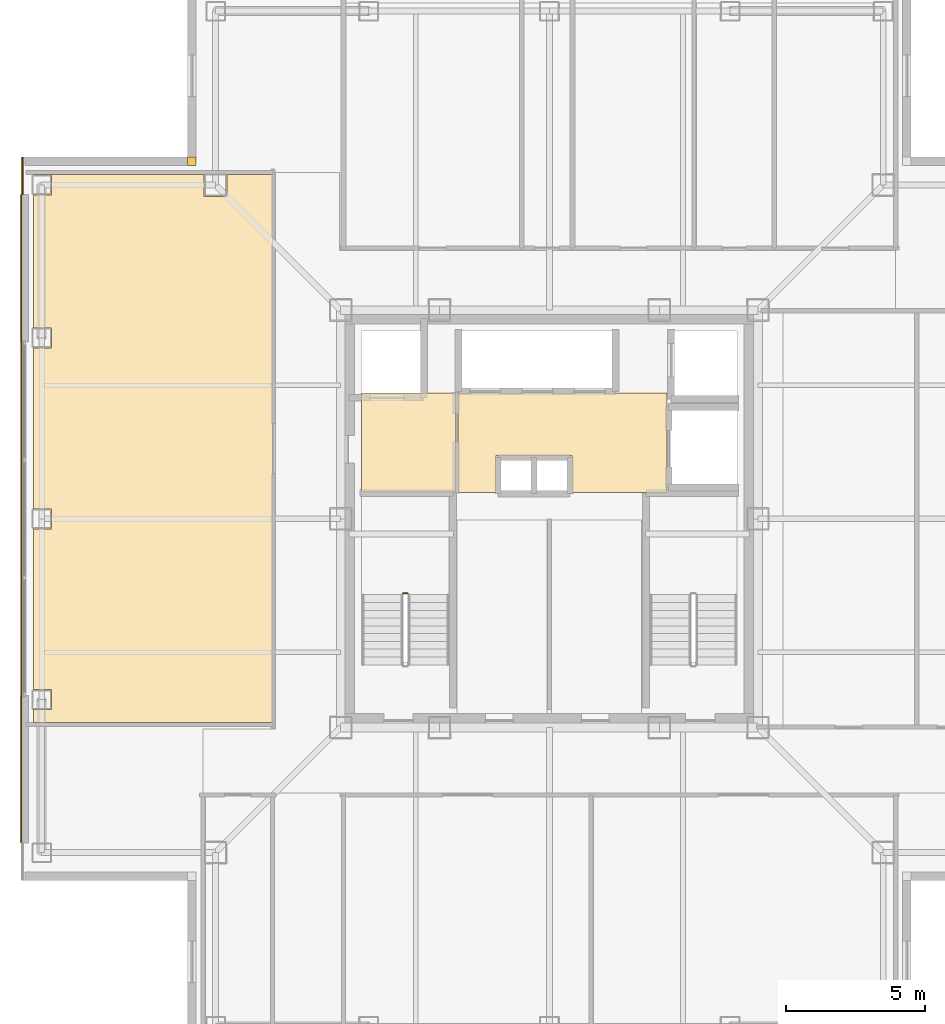
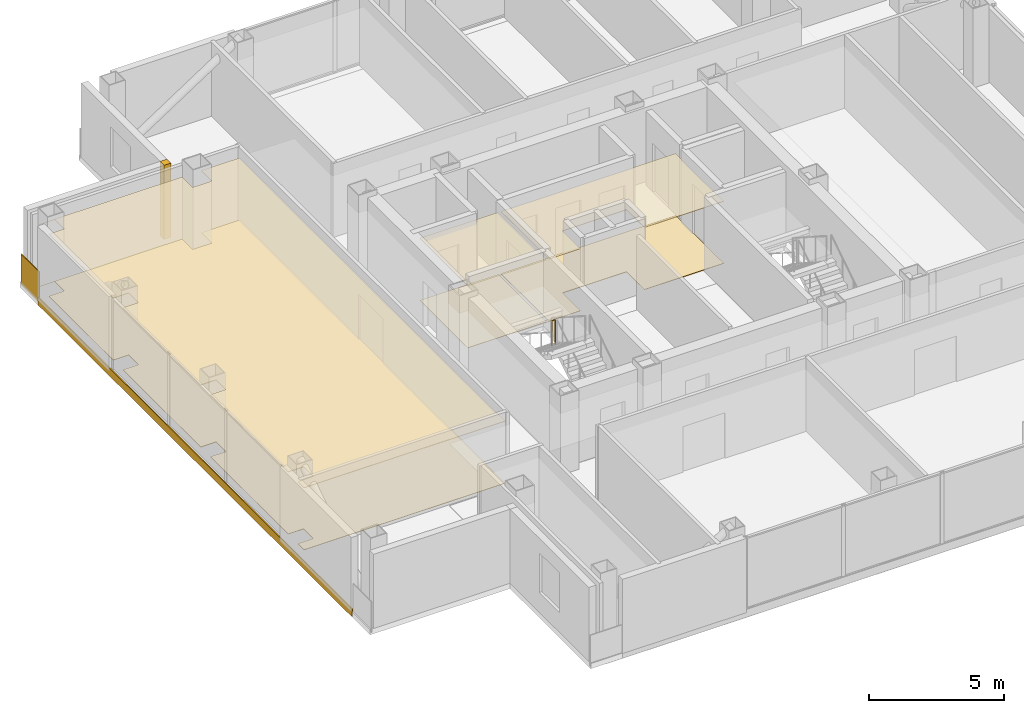
# One storey, part 13 of 16: 9 coverings, 1 railing.
"""IFC4 building model written with IfcOpenShell, lengths in metres."""

from ifc_helpers import new_model, si_unit, direction, frame, frame_2d, origin, origin_2d, place, context, subcontext, project, spatial, polyline, rectangle, circle, outline, extrude, material, layer, layer_set, type_object, element, save


model = new_model("IFC4")

# Units and contexts
model_context = context("Model", 3, precision=1e-05, world=origin(), true_north=direction((0.0, 1.0)))
body_context = subcontext(model_context, "Body", "Model", "MODEL_VIEW")
ifc_project = project(units=[si_unit("LENGTHUNIT", "METRE"), si_unit("AREAUNIT", "SQUARE_METRE"), si_unit("VOLUMEUNIT", "CUBIC_METRE"), si_unit("PLANEANGLEUNIT", "RADIAN"), si_unit("MASSUNIT", "GRAM", prefix="KILO")], contexts=[model_context])

# Site, building, storey
site_placement = place(None, origin())
site = spatial("IfcSite", under=ifc_project, at=site_placement, CompositionType="ELEMENT")
building_placement = place(site_placement, origin())
building = spatial("IfcBuilding", under=site, at=building_placement, Name="Trevonay Congress Spire", CompositionType="ELEMENT")
storey_placement = place(building_placement, frame((0.0, 0.0, 268.39990234375)))
storey = spatial("IfcBuildingStorey", under=building, at=storey_placement, Name="L70", CompositionType="ELEMENT", Elevation=268.39990234375)

# Coverings
ifc_material_1 = material(Name="Acoustic Mineral Fibre Board", Category="gypsum")
ifc_layer_1 = layer(ifc_material_1, 0.02490234375, Name="Acoustic Mineral Fibre Board")
ifc_layer_set_1 = layer_set([ifc_layer_1], Name="Acoustic Mineral Fibre Board")
covering_type_1 = type_object("IfcCoveringType", Name="COV-CEIL-ACOUSTIC", PredefinedType="CEILING", material=ifc_layer_set_1)
covering_1_placement = place(storey_placement, frame((0.0, 0.0, 2.81005859375)))
element("IfcCovering", 1, at=covering_1_placement, inside=storey, type_object=covering_type_1, Name="L70 Firefighting Lift Lobby West acoustic suspended ceiling", PredefinedType="CEILING", context=body_context, shape_type="SweptSolid", body=[
    extrude(outline(polyline([(-6.75, 0.9599609375), (-3.3798828125, 0.9599609375), (-3.3798828125, 4.52001953125), (-6.75, 4.52001953125), (-6.75, 0.9599609375)])), origin(), (0.0, 0.0, 1.0), 0.025146484375),
])
covering_2_placement = place(storey_placement, frame((0.0, 0.0, 2.81005859375)))
element("IfcCovering", 2, at=covering_2_placement, inside=storey, type_object=covering_type_1, Name="L70 Central and High-Rise Passenger Lift Lobby acoustic suspended ceiling", PredefinedType="CEILING", context=body_context, shape_type="SweptSolid", body=[
    extrude(outline(polyline([(-3.280029296875, 0.949951171875), (-1.919921875, 0.949951171875), (-1.919921875, 2.280029296875), (0.820068359375, 2.280029296875), (0.820068359375, 0.949951171875), (4.219970703125, 0.949951171875), (4.219970703125, 4.52001953125), (-3.280029296875, 4.52001953125), (-3.280029296875, 0.949951171875)])), origin(), (0.0, 0.0, 1.0), 0.025146484375),
])
covering_3_placement = place(storey_placement, frame((0.0, 0.0, 2.81005859375)))
element("IfcCovering", 3, at=covering_3_placement, inside=storey, type_object=covering_type_1, Name="L70 Oceanographic Cartography Reading Lounge acoustic suspended ceiling", PredefinedType="CEILING", context=body_context, shape_type="SweptSolid", body=[
    extrude(outline(polyline([(-9.929931640625, 12.3701171875), (-9.929931640625, -7.320068359375), (-18.550048828125, -7.320068359375), (-18.550048828125, -6.860107421875), (-17.889892578125, -6.860107421875), (-17.889892578125, -6.139892578125), (-18.550048828125, -6.139892578125), (-18.550048828125, -0.360107421875), (-17.889892578125, -0.360107421875), (-17.889892578125, 0.360107421875), (-18.550048828125, 0.360107421875), (-18.550048828125, 6.139892578125), (-17.889892578125, 6.139892578125), (-17.889892578125, 6.860107421875), (-18.550048828125, 6.860107421875), (-18.550048828125, 11.639892578125), (-17.889892578125, 11.639892578125), (-17.889892578125, 12.360107421875), (-18.550048828125, 12.360107421875), (-18.550048828125, 12.3701171875), (-12.409912109375, 12.3701171875), (-12.409912109375, 11.590087890625), (-11.590087890625, 11.590087890625), (-11.590087890625, 12.3701171875), (-9.929931640625, 12.3701171875)])), origin(), (0.0, 0.0, 1.0), 0.025146484375),
])
ifc_material_2 = material(Name="Polished Granite Floor Tile", Category="masonry")
ifc_layer_2 = layer(ifc_material_2, 0.02001953125, Name="Polished Granite Floor Tile")
ifc_layer_set_2 = layer_set([ifc_layer_2], Name="Polished Granite Floor Tile")
covering_type_2 = type_object("IfcCoveringType", Name="COV-FLOOR-STONE", PredefinedType="FLOORING", material=ifc_layer_set_2)
covering_4_placement = place(storey_placement, origin())
element("IfcCovering", 4, at=covering_4_placement, inside=storey, type_object=covering_type_2, Name="L70 Firefighting Lift Lobby West floor finish", PredefinedType="FLOORING", context=body_context, shape_type="SweptSolid", body=[
    extrude(outline(polyline([(-6.75, 0.9599609375), (-3.3798828125, 0.9599609375), (-3.3798828125, 4.52001953125), (-6.75, 4.52001953125), (-6.75, 0.9599609375)])), origin(), (0.0, 0.0, 1.0), 0.02001953125),
])
covering_5_placement = place(storey_placement, origin())
element("IfcCovering", 5, at=covering_5_placement, inside=storey, type_object=covering_type_2, Name="L70 Central and High-Rise Passenger Lift Lobby floor finish", PredefinedType="FLOORING", context=body_context, shape_type="SweptSolid", body=[
    extrude(outline(polyline([(-3.280029296875, 0.949951171875), (-1.919921875, 0.949951171875), (-1.919921875, 2.280029296875), (0.820068359375, 2.280029296875), (0.820068359375, 0.949951171875), (4.219970703125, 0.949951171875), (4.219970703125, 4.52001953125), (-3.280029296875, 4.52001953125), (-3.280029296875, 0.949951171875)])), origin(), (0.0, 0.0, 1.0), 0.02001953125),
])
ifc_material_3 = material(Name="Engineered Oak Flooring", Category="wood")
ifc_layer_3 = layer(ifc_material_3, 0.01806640625, Name="Engineered Oak Flooring")
ifc_layer_set_3 = layer_set([ifc_layer_3], Name="Engineered Oak Flooring")
covering_type_3 = type_object("IfcCoveringType", Name="COV-FLOOR-TIMBER", PredefinedType="FLOORING", material=ifc_layer_set_3)
covering_6_placement = place(storey_placement, origin())
element("IfcCovering", 6, at=covering_6_placement, inside=storey, type_object=covering_type_3, Name="L70 Oceanographic Cartography Reading Lounge floor finish", PredefinedType="FLOORING", context=body_context, shape_type="SweptSolid", body=[
    extrude(outline(polyline([(-9.929931640625, 12.3701171875), (-9.929931640625, -7.320068359375), (-18.550048828125, -7.320068359375), (-18.550048828125, -6.860107421875), (-17.889892578125, -6.860107421875), (-17.889892578125, -6.139892578125), (-18.550048828125, -6.139892578125), (-18.550048828125, -0.360107421875), (-17.889892578125, -0.360107421875), (-17.889892578125, 0.360107421875), (-18.550048828125, 0.360107421875), (-18.550048828125, 6.139892578125), (-17.889892578125, 6.139892578125), (-17.889892578125, 6.860107421875), (-18.550048828125, 6.860107421875), (-18.550048828125, 11.639892578125), (-17.889892578125, 11.639892578125), (-17.889892578125, 12.360107421875), (-18.550048828125, 12.360107421875), (-18.550048828125, 12.3701171875), (-12.409912109375, 12.3701171875), (-12.409912109375, 11.590087890625), (-11.590087890625, 11.590087890625), (-11.590087890625, 12.3701171875), (-9.929931640625, 12.3701171875)])), origin(), (0.0, 0.0, 1.0), 0.01806640625),
])
ifc_material_4 = material(Name="Pale Anodised Aluminium EN AW-6063-T6", Category="aluminium")
ifc_layer_4 = layer(ifc_material_4, 0.0400390625, Name="Pale Anodised Aluminium EN AW-6063-T6")
ifc_layer_set_4 = layer_set([ifc_layer_4], Name="Pale Anodised Aluminium EN AW-6063-T6")
covering_type_4 = type_object("IfcCoveringType", Name="COV-SPANDREL-PALE-METAL", PredefinedType="CLADDING", material=ifc_layer_set_4)
covering_7_placement = place(storey_placement, frame((-18.97998046875, -11.64990234375, -0.239990234375), z_axis=(0.0, 0.0, 1.0), x_axis=(0.0, 1.0, 0.0)))
element("IfcCovering", 7, at=covering_7_placement, inside=storey, type_object=covering_type_4, Name="L70 W pale-metal slab-edge spandrel cladding", PredefinedType="CLADDING", context=body_context, shape_type="SweptSolid", body=[
    extrude(rectangle(XDim=23.2998046875, YDim=0.0400390625, at=frame_2d((11.64990234375, 0.0))), origin(), (0.0, 0.0, 1.0), 0.360107421875),
])
covering_8_placement = place(storey_placement, origin())
element("IfcCovering", 8, at=covering_8_placement, inside=storey, type_object=covering_type_4, Name="L70 NW re-entrant notch corner closure trim", PredefinedType="CLADDING", context=body_context, shape_type="SweptSolid", body=[
    extrude(outline(polyline([(-13.0, 12.699951171875), (-12.699951171875, 12.699951171875), (-12.699951171875, 13.0), (-13.0, 13.0), (-13.0, 12.699951171875)])), origin(), (0.0, 0.0, 1.0), 3.360107421875),
])
covering_9_placement = place(storey_placement, frame((-18.93994140625, 11.64990234375, -0.14990234375), z_axis=(0.0, 0.0, 1.0), x_axis=(0.0, 1.0, 0.0)))
element("IfcCovering", 9, at=covering_9_placement, inside=storey, type_object=covering_type_4, Name="L70 NW corner pier spandrel cladding 1", PredefinedType="CLADDING", context=body_context, shape_type="SweptSolid", body=[
    extrude(rectangle(XDim=1.35009765625, YDim=0.0400390625, at=frame_2d((0.675048828125, 0.0))), origin(), (0.0, 0.0, 1.0), 1.39990234375),
])

# Railing
railing_type = type_object("IfcRailingType", Name="RAL-STAIR-GUARD-110", PredefinedType="GUARDRAIL", material=ifc_material_4)
railing_placement = place(storey_placement, frame((-5.10009765625, -2.679931640625, 1.800048828125)))
element("IfcRailing", 10, at=railing_placement, inside=storey, type_object=railing_type, Name="L70 ST-1 stair guard 2", PredefinedType="GUARDRAIL", context=body_context, shape_type="SweptSolid", body=[
    extrude(circle(Radius=0.02392578125, at=origin_2d()), frame((0.0, 0.0, 1.1259765625), z_axis=(-1.0, 0.0, 0.0), x_axis=(0.0, -1.0, 0.0)), (0.0, 0.0, 1.0), 0.14990234375),
    extrude(circle(Radius=0.02099609375, at=origin_2d()), origin(), (0.0, 0.0, 1.0), 1.101806640625),
    extrude(circle(Radius=0.02099609375, at=origin_2d()), frame((-0.14990234375, 0.0, 0.0)), (0.0, 0.0, 1.0), 1.101806640625),
])

save(model, "model.ifc")
